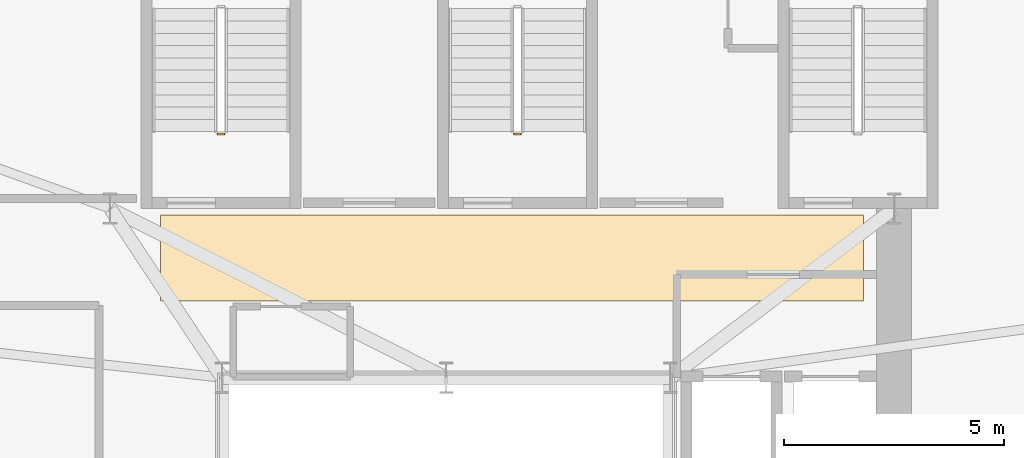
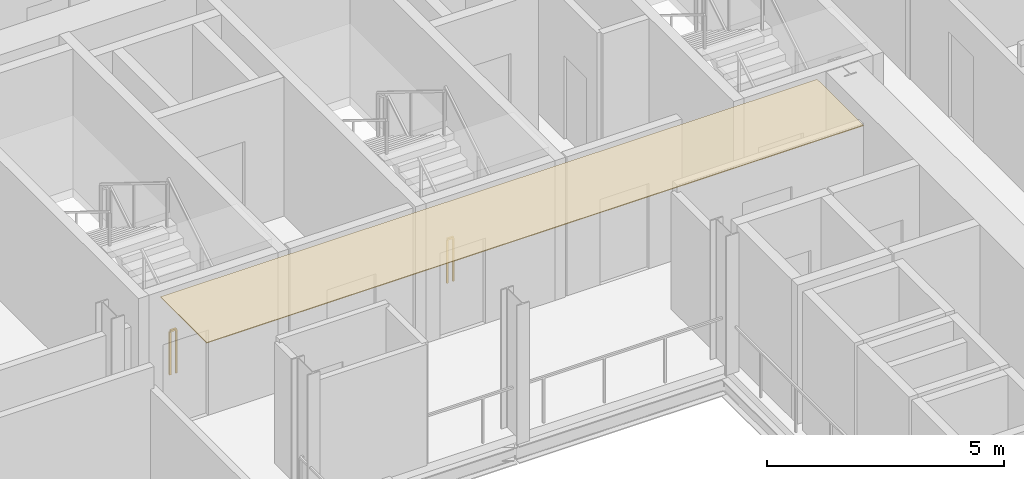
# One storey, part 13 of 16: 2 railings, 1 covering.
"""IFC4 building model written with IfcOpenShell, lengths in metres."""

from ifc_helpers import new_model, si_unit, direction, frame, origin, origin_2d, place, context, subcontext, project, spatial, polyline, rectangle, outline, extrude, source, transform, mapped, material, layer, layer_set, type_object, element, save


model = new_model("IFC4")

# Units and contexts
model_context = context("Model", 3, precision=1e-05, world=origin(), true_north=direction((0.0, 1.0)))
body_context = subcontext(model_context, "Body", "Model", "MODEL_VIEW")
ifc_project = project(units=[si_unit("LENGTHUNIT", "METRE"), si_unit("AREAUNIT", "SQUARE_METRE"), si_unit("VOLUMEUNIT", "CUBIC_METRE"), si_unit("PLANEANGLEUNIT", "RADIAN"), si_unit("MASSUNIT", "GRAM", prefix="KILO")], contexts=[model_context])

# Site, building, storey
site_placement = place(None, origin())
site = spatial("IfcSite", under=ifc_project, at=site_placement, CompositionType="ELEMENT")
building_placement = place(site_placement, origin())
building = spatial("IfcBuilding", under=site, at=building_placement, Name="Vardaveli Station Tower", CompositionType="ELEMENT")
storey_placement = place(building_placement, frame((0.0, 0.0, 181.0)))
storey = spatial("IfcBuildingStorey", under=building, at=storey_placement, Name="L46", CompositionType="ELEMENT", Elevation=181.0)

# Covering
ifc_material_1 = material(Name="Perforated acoustic mineral ceiling")
ifc_layer = layer(ifc_material_1, 0.02001953125, Name="Perforated acoustic mineral ceiling")
ifc_layer_set = layer_set([ifc_layer], Name="Perforated acoustic mineral ceiling")
covering_type = type_object("IfcCoveringType", Name="COV-CEIL-AC20", PredefinedType="CEILING", material=ifc_layer_set)
covering_placement = place(storey_placement, frame((0.0, 0.0, 3.56494140625)))
element("IfcCovering", 1, at=covering_placement, inside=storey, type_object=covering_type, Name="CEIL-L46-8", PredefinedType="CEILING", context=body_context, shape_type="SweptSolid", body=[
    extrude(outline(polyline([(29.800048828125, 28.550048828125), (45.800048828125, 28.550048828125), (45.800048828125, 30.5), (29.800048828125, 30.5), (29.800048828125, 28.550048828125)])), origin(), (0.0, 0.0, 1.0), 0.02001953125),
])

# Railings
ifc_material_2 = material(Name="Brushed AISI 316 stainless steel", Category="steel")
railing_type = type_object("IfcRailingType", Name="RL-GUARD-1150", PredefinedType="GUARDRAIL", material=ifc_material_2)
shared_shape = source(origin(), body_context, "Body", "SweptSolid", [
    extrude(rectangle(XDim=0.048095703125, YDim=0.048095703125, at=origin_2d()), frame((0.0, 0.0, 1.1259765625), z_axis=(-1.0, 0.0, 0.0), x_axis=(0.0, -1.0, 0.0)), (0.0, 0.0, 1.0), 0.14990234375),
    extrude(rectangle(XDim=0.0419921875, YDim=0.0419921875, at=origin_2d()), origin(), (0.0, 0.0, 1.0), 1.101806640625),
    extrude(rectangle(XDim=0.0419921875, YDim=0.0419921875, at=origin_2d()), frame((-0.14990234375, 0.0, 0.0)), (0.0, 0.0, 1.0), 1.101806640625),
])
for number, where, name in (
    (2, (31.25, 32.35009765625, 0.0), "L46 ST-1 stair guard 4"),
    (3, (38.0, 32.35009765625, 0.0), "L46 ST-2 stair guard 4"),
):
    element("IfcRailing", number, at=place(storey_placement, frame(where)), inside=storey, type_object=railing_type, Name=name, PredefinedType="GUARDRAIL", context=body_context, shape_type="MappedRepresentation", body=[
        mapped(shared_shape, transform((0.0, 0.0, 0.0), scale=1.0)),
    ])

save(model, "model.ifc")
